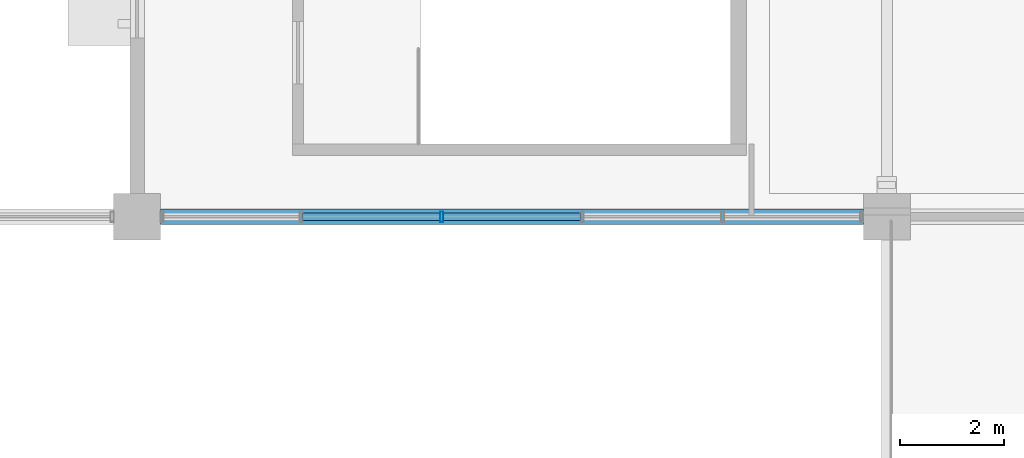
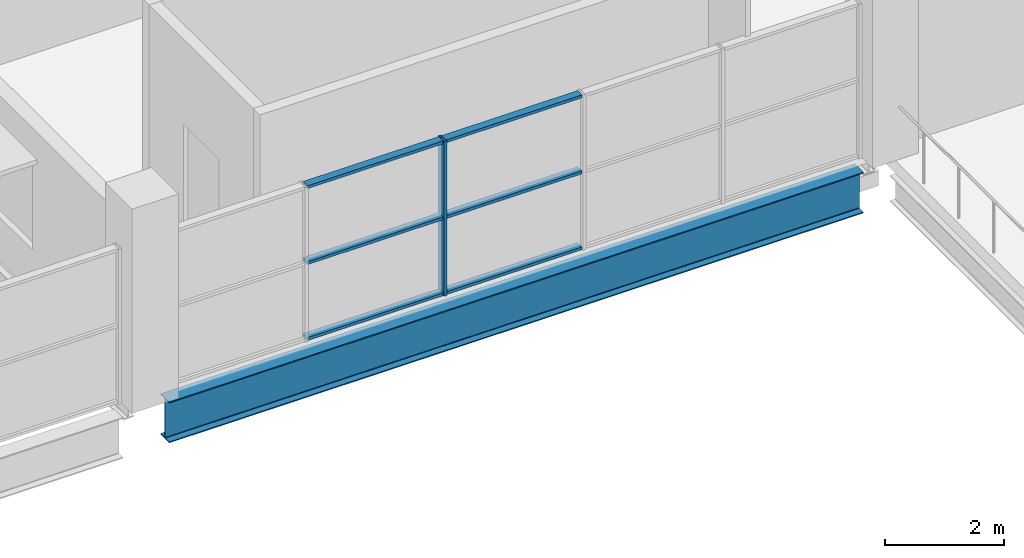
# One storey, part 37 of 93: 7 members, 1 beam, 1 element without a shape of its own.
"""IFC4 building model written with IfcOpenShell, lengths in metres."""

from ifc_helpers import new_model, si_unit, direction, frame, origin, origin_2d, place, context, subcontext, project, spatial, hollow_rectangle, i_section, extrude, material, material_profile, profile_set, type_object, element, aggregate, save


model = new_model("IFC4")

# Units and contexts
model_context = context("Model", 3, precision=1e-05, world=origin(), true_north=direction((0.0, 1.0)))
body_context = subcontext(model_context, "Body", "Model", "MODEL_VIEW")
ifc_project = project(units=[si_unit("LENGTHUNIT", "METRE"), si_unit("AREAUNIT", "SQUARE_METRE"), si_unit("VOLUMEUNIT", "CUBIC_METRE"), si_unit("PLANEANGLEUNIT", "RADIAN"), si_unit("MASSUNIT", "GRAM", prefix="KILO"), si_unit("THERMODYNAMICTEMPERATUREUNIT", "KELVIN")], contexts=[model_context])

# Site, building, storey
site_placement = place(None, origin())
site = spatial("IfcSite", under=ifc_project, at=site_placement, CompositionType="ELEMENT")
building_placement = place(site_placement, origin())
building = spatial("IfcBuilding", under=site, at=building_placement, Name="Nduvali Passage Aquatics Centre", CompositionType="ELEMENT")
storey_placement = place(building_placement, frame((0.0, 0.0, 9.0)))
storey = spatial("IfcBuildingStorey", under=building, at=storey_placement, Name="L02", CompositionType="ELEMENT", Elevation=9.0)

# Curtain wall, members
ifc_material_1 = material(Name="Aluminium EN AW-6063 T6", Category="aluminium")
curtain_wall_type = type_object("IfcCurtainWallType", Name="ENV-CW-CLER", PredefinedType="NOTDEFINED", material=ifc_material_1)
curtain_wall_placement = place(storey_placement, origin())
curtain_wall = element("IfcCurtainWall", 1, at=curtain_wall_placement, inside=storey, type_object=curtain_wall_type, Name="L02 North Pool Hall Pool Overlook CW 059", PredefinedType="NOTDEFINED")
ifc_material_profile_1 = material_profile(ifc_material_1, hollow_rectangle(XDim=0.06005859375, YDim=0.199951171875, WallThickness=0.00390625, at=origin_2d()), Name="ALU MULLION 60x200x4")
ifc_profile_set_1 = profile_set([ifc_material_profile_1], Name="Aluminium EN AW-6063 T6")
member_type_1 = type_object("IfcMemberType", Name="ENV-MEM-MUL80", PredefinedType="MULLION", material=ifc_profile_set_1)
member_1_placement = place(storey_placement, frame((45.449951171875, 92.39990234375, 0.0), z_axis=(0.0, 0.0, 1.0), x_axis=(1.0, 0.0, 0.0)))
member_1 = element("IfcMember", 2, at=member_1_placement, type_object=member_type_1, Name="North Pool Hall Pool Overlook CW Mullion 3", PredefinedType="MULLION", context=body_context, shape_type="SweptSolid", body=[
    extrude(hollow_rectangle(XDim=0.06005859375, YDim=0.199951171875, WallThickness=0.00390625, at=origin_2d()), origin(), (0.0, 0.0, 1.0), 3.183837890625),
])
ifc_material_profile_2 = material_profile(ifc_material_1, hollow_rectangle(XDim=0.14990234375, YDim=0.06005859375, WallThickness=0.00390625, at=origin_2d()), Name="ALU TRANSOM 150x60x4")
ifc_profile_set_2 = profile_set([ifc_material_profile_2], Name="Aluminium EN AW-6063 T6")
member_type_2 = type_object("IfcMemberType", Name="ENV-MEM-TRN80", PredefinedType="USERDEFINED", material=ifc_profile_set_2)
member_2_placement = place(storey_placement, frame((42.780029296875, 92.39990234375, 0.030029296875), z_axis=(1.0, 0.0, 0.0), x_axis=(0.0, 1.0, 0.0)))
member_2 = element("IfcMember", 3, at=member_2_placement, type_object=member_type_2, Name="North Pool Hall Pool Overlook CW Transom B2-R0", ObjectType="TRANSOM", PredefinedType="USERDEFINED", context=body_context, shape_type="SweptSolid", body=[
    extrude(hollow_rectangle(XDim=0.14990234375, YDim=0.06005859375, WallThickness=0.00390625, at=origin_2d()), origin(), (0.0, 0.0, 1.0), 2.639892578125),
])
member_3_placement = place(storey_placement, frame((42.780029296875, 92.39990234375, 1.591796875), z_axis=(1.0, 0.0, 0.0), x_axis=(0.0, 1.0, 0.0)))
member_3 = element("IfcMember", 4, at=member_3_placement, type_object=member_type_2, Name="North Pool Hall Pool Overlook CW Transom B2-R1", ObjectType="TRANSOM", PredefinedType="USERDEFINED", context=body_context, shape_type="SweptSolid", body=[
    extrude(hollow_rectangle(XDim=0.14990234375, YDim=0.06005859375, WallThickness=0.00390625, at=origin_2d()), origin(), (0.0, 0.0, 1.0), 2.639892578125),
])
member_4_placement = place(storey_placement, frame((42.780029296875, 92.39990234375, 3.15380859375), z_axis=(1.0, 0.0, 0.0), x_axis=(0.0, 1.0, 0.0)))
member_4 = element("IfcMember", 5, at=member_4_placement, type_object=member_type_2, Name="North Pool Hall Pool Overlook CW Transom B2-R2", ObjectType="TRANSOM", PredefinedType="USERDEFINED", context=body_context, shape_type="SweptSolid", body=[
    extrude(hollow_rectangle(XDim=0.14990234375, YDim=0.06005859375, WallThickness=0.00390625, at=origin_2d()), origin(), (0.0, 0.0, 1.0), 2.639892578125),
])
member_5_placement = place(storey_placement, frame((45.47998046875, 92.39990234375, 0.030029296875), z_axis=(1.0, 0.0, 0.0), x_axis=(0.0, 1.0, 0.0)))
member_5 = element("IfcMember", 6, at=member_5_placement, type_object=member_type_2, Name="North Pool Hall Pool Overlook CW Transom B3-R0", ObjectType="TRANSOM", PredefinedType="USERDEFINED", context=body_context, shape_type="SweptSolid", body=[
    extrude(hollow_rectangle(XDim=0.14990234375, YDim=0.06005859375, WallThickness=0.00390625, at=origin_2d()), origin(), (0.0, 0.0, 1.0), 2.64013671875),
])
member_6_placement = place(storey_placement, frame((45.47998046875, 92.39990234375, 1.591796875), z_axis=(1.0, 0.0, 0.0), x_axis=(0.0, 1.0, 0.0)))
member_6 = element("IfcMember", 7, at=member_6_placement, type_object=member_type_2, Name="North Pool Hall Pool Overlook CW Transom B3-R1", ObjectType="TRANSOM", PredefinedType="USERDEFINED", context=body_context, shape_type="SweptSolid", body=[
    extrude(hollow_rectangle(XDim=0.14990234375, YDim=0.06005859375, WallThickness=0.00390625, at=origin_2d()), origin(), (0.0, 0.0, 1.0), 2.64013671875),
])
member_7_placement = place(storey_placement, frame((45.47998046875, 92.39990234375, 3.15380859375), z_axis=(1.0, 0.0, 0.0), x_axis=(0.0, 1.0, 0.0)))
member_7 = element("IfcMember", 8, at=member_7_placement, type_object=member_type_2, Name="North Pool Hall Pool Overlook CW Transom B3-R2", ObjectType="TRANSOM", PredefinedType="USERDEFINED", context=body_context, shape_type="SweptSolid", body=[
    extrude(hollow_rectangle(XDim=0.14990234375, YDim=0.06005859375, WallThickness=0.00390625, at=origin_2d()), origin(), (0.0, 0.0, 1.0), 2.64013671875),
])
aggregate(curtain_wall, [member_1, member_2, member_3, member_4, member_5, member_6, member_7])

# Beam
ifc_material_2 = material(Name="Steel S355", Category="steel")
ifc_material_profile_3 = material_profile(ifc_material_2, i_section(OverallWidth=0.29248046875, OverallDepth=0.8408203125, WebThickness=0.0146484375, FlangeThickness=0.021728515625, FilletRadius=0.017822265625, at=origin_2d()), Name="UKB 838x292x194")
ifc_profile_set_3 = profile_set([ifc_material_profile_3], Name="Steel S355")
beam_type = type_object("IfcBeamType", Name="STR-BM-UKB838-EXT", PredefinedType="BEAM", material=ifc_profile_set_3)
beam_placement = place(storey_placement, frame((40.050048828125, 92.39990234375, -0.684326171875), z_axis=(1.0, 0.0, 0.0), x_axis=(0.0, 1.0, 0.0)))
element("IfcBeam", 9, at=beam_placement, inside=storey, type_object=beam_type, Name="L02 Primary X-Girder B4BE-0923", PredefinedType="BEAM", context=body_context, shape_type="SweptSolid", body=[
    extrude(i_section(OverallWidth=0.29248046875, OverallDepth=0.8408203125, WebThickness=0.0146484375, FlangeThickness=0.021728515625, FilletRadius=0.017822265625, at=origin_2d()), origin(), (0.0, 0.0, 1.0), 13.5),
])

save(model, "model.ifc")
